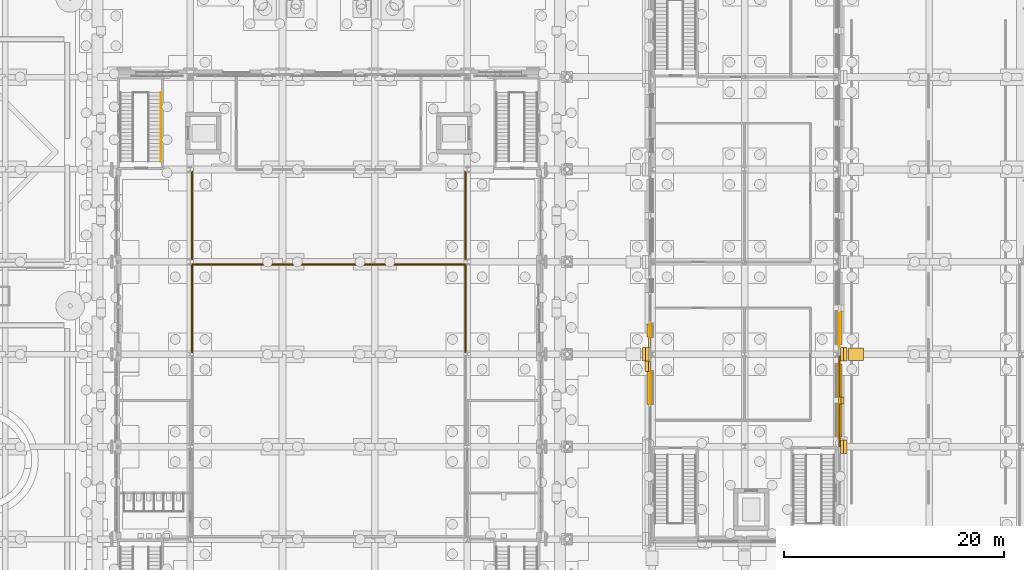
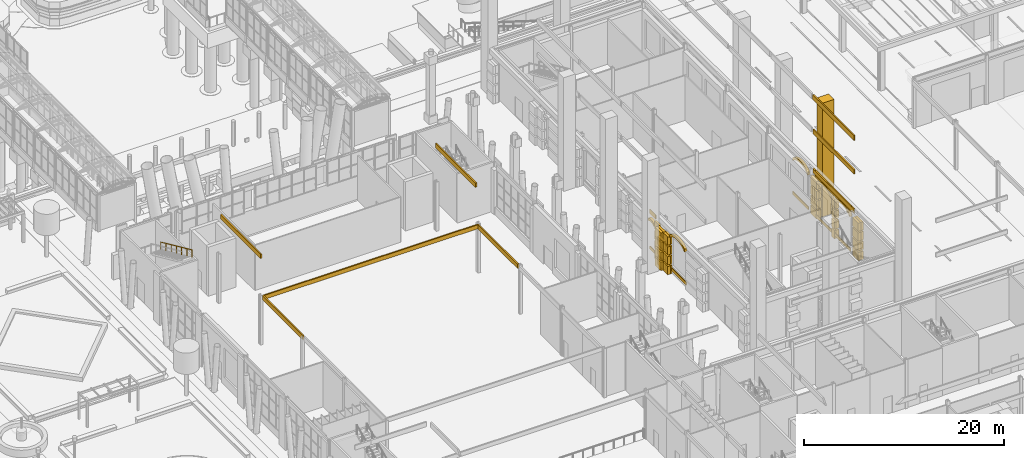
# One storey, part 151 of 222: 65 coverings, 1 railing.
"""IFC4 building model written with IfcOpenShell, lengths in metres."""

import ifcopenshell
import ifcopenshell.guid

model = None  # the IFC model being written
_history = None  # IfcOwnerHistory: only IFC2X3 demands one
_inside = {}  # id of a spatial element -> (the spatial element, [elements in it])
_under = {}  # id of a project, library or spatial element -> (it, [spatial elements below it])
_declared = {}  # id of a project -> (the project, [libraries it declares])
_typed = {}  # id of a type object -> (the type object, [elements of that type])
_made_of = {}  # id of a material, layer set ... -> (it, [elements and type objects made of it])


def new_model(schema):
    """Start an empty IFC model of exactly this schema.

    Asked for "IFC4X3", IfcOpenShell would pick the latest addendum, in which some entities
    have other attributes; the version numbers below select the first issue.
    IFC2X3 requires an IfcOwnerHistory on every rooted entity: one is made here for all.
    """
    global model, _history
    if schema == "IFC4X3":
        model = ifcopenshell.file(schema_version=(4, 3, 0, 0))
    else:
        model = ifcopenshell.file(schema=schema)
    _inside.clear()
    _under.clear()
    _declared.clear()
    _typed.clear()
    _made_of.clear()
    _history = None
    if model.schema == "IFC2X3":
        org = make("IfcOrganization", Name="unknown")
        user = make(
            "IfcPersonAndOrganization",
            ThePerson=make("IfcPerson", FamilyName="unknown"),
            TheOrganization=org,
        )
        app = make(
            "IfcApplication",
            ApplicationDeveloper=org,
            Version="unknown",
            ApplicationFullName="unknown",
            ApplicationIdentifier="unknown",
        )
        _history = make(
            "IfcOwnerHistory",
            OwningUser=user,
            OwningApplication=app,
            ChangeAction="ADDED",
            CreationDate=0,
        )
    return model


def make(cls, **values):
    """One entity of the class cls with the attributes given. An attribute that is None is left unset."""
    return model.create_entity(
        cls, **{name: value for name, value in values.items() if value is not None}
    )


def rooted(cls, **values):
    """An entity with a GlobalId (a new one), such as an element, a storey or a relation."""
    return make(cls, GlobalId=ifcopenshell.guid.new(), OwnerHistory=_history, **values)


def si_unit(unit_type, name, prefix=None):
    """IfcSIUnit, for example si_unit("LENGTHUNIT", "METRE", prefix="MILLI")."""
    return make("IfcSIUnit", UnitType=unit_type, Prefix=prefix, Name=name)


def assignment(units):
    """IfcUnitAssignment: the units of a project."""
    return None if units is None else make("IfcUnitAssignment", Units=units)


def point(xyz):
    """IfcCartesianPoint."""
    return None if xyz is None else make("IfcCartesianPoint", Coordinates=xyz)


def direction(xyz):
    """IfcDirection."""
    return None if xyz is None else make("IfcDirection", DirectionRatios=xyz)


def frame(location, z_axis=None, x_axis=None):
    """IfcAxis2Placement3D, a coordinate frame: its origin and axes. An axis left out is left unset."""
    return make(
        "IfcAxis2Placement3D",
        Location=point(location),
        Axis=direction(z_axis),
        RefDirection=direction(x_axis),
    )


def frame_2d(location, x_axis=None):
    """IfcAxis2Placement2D, a coordinate frame in the plane: its origin and x axis."""
    return make(
        "IfcAxis2Placement2D", Location=point(location), RefDirection=direction(x_axis)
    )


def origin():
    """The frame at (0, 0, 0) with its axes left unset."""
    return frame((0.0, 0.0, 0.0))


def origin_2d():
    """The frame at (0, 0) in the plane with its x axis left unset."""
    return frame_2d((0.0, 0.0))


def place(relative_to, where):
    """IfcLocalPlacement: puts the frame where relative to a parent placement (None: the world)."""
    return make(
        "IfcLocalPlacement", PlacementRelTo=relative_to, RelativePlacement=where
    )


def context(
    kind, dimensions, precision=None, world=None, true_north=None, identifier=None
):
    """IfcGeometricRepresentationContext, for example the 3D "Model" context."""
    return make(
        "IfcGeometricRepresentationContext",
        ContextIdentifier=identifier,
        ContextType=kind,
        CoordinateSpaceDimension=dimensions,
        Precision=precision,
        WorldCoordinateSystem=world,
        TrueNorth=true_north,
    )


def subcontext(parent, identifier, kind, view, scale=None):
    """IfcGeometricRepresentationSubContext, for example "Body" below "Model"."""
    return make(
        "IfcGeometricRepresentationSubContext",
        ContextIdentifier=identifier,
        ContextType=kind,
        ParentContext=parent,
        TargetScale=scale,
        TargetView=view,
    )


def project(units=None, contexts=None):
    """IfcProject with its units and contexts."""
    return rooted(
        "IfcProject",
        Name="project",
        RepresentationContexts=contexts,
        UnitsInContext=assignment(units),
    )


def spatial(cls, under=None, at=None, **own):
    """A site, building, storey or space (cls), placed at a placement, below another one or the project."""
    s = rooted(cls, ObjectPlacement=at, **own)
    if under is not None:
        _under.setdefault(under.id(), (under, []))[1].append(s)
    return s


def polyline(points):
    """IfcPolyline through the points."""
    return make("IfcPolyline", Points=[point(p) for p in points])


def profile(cls, at=None, kind="AREA", **sizes):
    """A parametric profile (cls). Its sizes go by their IFC names, for example OverallWidth=200.0."""
    return make(cls, ProfileType=kind, Position=at, **sizes)


def rectangle(**sizes):
    """IfcRectangleProfileDef."""
    return profile("IfcRectangleProfileDef", **sizes)


def circle(**sizes):
    """IfcCircleProfileDef."""
    return profile("IfcCircleProfileDef", **sizes)


def outline(outer, holes=None, kind="AREA"):
    """IfcArbitraryClosedProfileDef: a profile drawn as a closed curve; with holes, ...WithVoids."""
    if holes is None:
        return make("IfcArbitraryClosedProfileDef", ProfileType=kind, OuterCurve=outer)
    return make(
        "IfcArbitraryProfileDefWithVoids",
        ProfileType=kind,
        OuterCurve=outer,
        InnerCurves=holes,
    )


def extrude(swept, where, along, depth):
    """IfcExtrudedAreaSolid: the profile swept, set in the frame where, extruded along a direction by depth."""
    return make(
        "IfcExtrudedAreaSolid",
        SweptArea=swept,
        Position=where,
        ExtrudedDirection=direction(along),
        Depth=depth,
    )


def shape(context_of_items, identifier, shape_type, items):
    """IfcShapeRepresentation: the items that make up one representation, for example the "Body"."""
    return make(
        "IfcShapeRepresentation",
        ContextOfItems=context_of_items,
        RepresentationIdentifier=identifier,
        RepresentationType=shape_type,
        Items=items,
    )


def material(Name=None, Category=None):
    """IfcMaterial."""
    return make("IfcMaterial", Name=Name, Category=Category)


def layer(
    of_material, thickness, ventilated=None, Name=None, Category=None, Priority=None
):
    """IfcMaterialLayer: one layer of a wall or slab, of a material (None: an air gap)."""
    return make(
        "IfcMaterialLayer",
        Material=of_material,
        LayerThickness=thickness,
        IsVentilated=ventilated,
        Name=Name,
        Category=Category,
        Priority=Priority,
    )


def layer_set(layers, Name=None):
    """IfcMaterialLayerSet."""
    return make("IfcMaterialLayerSet", MaterialLayers=layers, LayerSetName=Name)


def made_of(thing, what):
    """Note that an element or type object is made of a material, layer set ...; save() writes the relation."""
    if what is not None:
        _made_of.setdefault(what.id(), (what, []))[1].append(thing)
    return thing


def type_object(cls, material=None, **own):
    """A type object (cls), such as IfcWallType, which elements share."""
    return made_of(rooted(cls, **own), material)


def element(
    cls,
    number,
    at=None,
    inside=None,
    cuts=None,
    type_object=None,
    material=None,
    context=None,
    identifier="Body",
    shape_type=None,
    held_by="IfcProductDefinitionShape",
    body=None,
    shapes=None,
    **own,
):
    """One element of the class cls, such as IfcWall. Its Tag is "e" and its number.

    at: its placement. inside: the storey or other place that contains it. cuts: it is an
    opening in that element (IfcRelVoidsElement). A single representation is given by context,
    identifier, shape_type and body (its items); several are given by shapes. held_by: the class
    of the entity that holds the representations. save() writes the other relations.
    """
    e = rooted(cls, Tag="e%d" % number, ObjectPlacement=at, **own)
    if body is not None:
        shapes = [shape(context, identifier, shape_type, body)]
    if shapes is not None:
        e.Representation = make(held_by, Representations=shapes)
    if inside is not None:
        _inside.setdefault(inside.id(), (inside, []))[1].append(e)
    if cuts is not None:
        rooted(
            "IfcRelVoidsElement", RelatingBuildingElement=cuts, RelatedOpeningElement=e
        )
    if type_object is not None:
        _typed.setdefault(type_object.id(), (type_object, []))[1].append(e)
    return made_of(e, material)


def aggregate(whole, parts):
    """IfcRelAggregates: a whole, such as a stair, and the parts it consists of."""
    return rooted("IfcRelAggregates", RelatingObject=whole, RelatedObjects=parts)


def save(model, path):
    """Write the relations noted so far, then the file.

    IfcRelAggregates (storeys below a building ...), IfcRelContainedInSpatialStructure (elements
    in a storey), IfcRelDefinesByType, IfcRelAssociatesMaterial and IfcRelDeclares: one each for
    every whole, place, type object, material and project.
    """
    for whole, parts in _under.values():
        aggregate(whole, parts)
    for where, things in _inside.values():
        rooted(
            "IfcRelContainedInSpatialStructure",
            RelatedElements=things,
            RelatingStructure=where,
        )
    for kind, things in _typed.values():
        rooted("IfcRelDefinesByType", RelatedObjects=things, RelatingType=kind)
    for what, things in _made_of.values():
        rooted("IfcRelAssociatesMaterial", RelatedObjects=things, RelatingMaterial=what)
    for by, libraries in _declared.values():
        rooted("IfcRelDeclares", RelatingContext=by, RelatedDefinitions=libraries)
    model.write(path)


model = new_model("IFC4")

# Units and contexts
model_context = context("Model", 3, precision=1e-05, world=origin(), true_north=direction((0.0, 1.0)))
body_context = subcontext(model_context, "Body", "Model", "MODEL_VIEW")
ifc_project = project(units=[si_unit("LENGTHUNIT", "METRE"), si_unit("AREAUNIT", "SQUARE_METRE"), si_unit("VOLUMEUNIT", "CUBIC_METRE"), si_unit("PLANEANGLEUNIT", "RADIAN"), si_unit("MASSUNIT", "GRAM", prefix="KILO")], contexts=[model_context])

# Site, building, storey
site_placement = place(None, origin())
site = spatial("IfcSite", under=ifc_project, at=site_placement, CompositionType="ELEMENT")
building_placement = place(site_placement, origin())
building = spatial("IfcBuilding", under=site, at=building_placement, Name="Sava Quay Ferry Terminal", CompositionType="ELEMENT")
storey_placement = place(building_placement, origin())
storey = spatial("IfcBuildingStorey", under=building, at=storey_placement, Name="L00", CompositionType="ELEMENT", Elevation=0.0)

# Coverings
ifc_material_1 = material(Name="Limestone Mutalj", Category="masonry")
ifc_layer_1 = layer(ifc_material_1, 0.300048828125)
ifc_layer_set_1 = layer_set([ifc_layer_1], Name="Limestone Mutalj")
covering_type_1 = type_object("IfcCoveringType", Name="Arch band 280", PredefinedType="MOLDING", material=ifc_layer_set_1)
covering_1_placement = place(storey_placement, frame((109.64990234375, 68.10009765625, 4.5), z_axis=(1.0, 0.0, 0.0), x_axis=(0.0, 0.781923759715, 0.623374072281)))
element("IfcCovering", 1, at=covering_1_placement, inside=storey, type_object=covering_type_1, Name="Arch band", PredefinedType="MOLDING", context=body_context, shape_type="SweptSolid", body=[
    extrude(outline(polyline([(0.0, 0.0), (0.3834193343979185, -2.7755575615628914e-17), (0.7215244784021893, -0.05723109819999722), (1.025082280021732, -0.15779635007562864), (1.2992672310674753, -0.2952051775433192), (1.5469709593161145, -0.4658304928504826), (1.7683069472834811, -0.6691383063507048), (1.963352611809143, -0.9058147986260157), (2.129025425761005, -1.1793348664933856), (2.2601508973281392, -1.4961890880363895), (2.3457712791462266, -1.8701222168437752), (2.575427400990079, -1.5820550895462773), (2.464391132924196, -1.2400021530905694), (2.3185031406023544, -0.9416651690212947), (2.144155443320406, -0.6790263644116832), (1.9443918597906626, -0.4482677521537497), (1.7213817715315254, -0.24705983156291944), (1.475352143574657, -0.07433462334636409), (1.2058851115329956, 0.06899208413870384), (0.9110021932435386, 0.1804385992720936), (0.5876595699939753, 0.25618693494582), (0.22965612184385228, 0.288067127297498), (0.0, 0.0)])), origin(), (0.0, 0.0, -1.0), 0.300048828125),
])
covering_2_placement = place(storey_placement, frame((109.64990234375, 71.699951171875, 4.5), z_axis=(1.0, 0.0, 0.0), x_axis=(0.0, 0.782171011383, 0.623063808091)))
element("IfcCovering", 2, at=covering_2_placement, inside=storey, type_object=covering_type_1, Name="Arch band", PredefinedType="MOLDING", context=body_context, shape_type="SweptSolid", body=[
    extrude(outline(polyline([(0.0, 0.0), (0.38361026394291897, 0.0), (0.7217380868167081, -0.05709695615317717), (1.025335762122964, -0.1575417686500708), (1.2993842465178647, -0.29468969183758004), (1.5471556480034832, -0.4652167214188082), (1.768763237235288, -0.6685888227670815), (1.9639027838382344, -0.9051879153215514), (2.1296840992494017, -1.178642233754159), (2.2607443073734594, -1.4952922933429613), (2.3465130341479634, -1.8691914242724625), (2.5760548521189226, -1.5810332074325149), (2.4648828890282157, -1.2390243496721793), (2.3190675077145073, -0.9408973828822342), (2.144615626614576, -0.6783277684654494), (1.9447605091984421, -0.4476484272178306), (1.7214796529038934, -0.24637688278489167), (1.475381518481019, -0.07374929628832916), (1.2060486048993058, 0.06931837820603115), (0.9111214952818136, 0.18064789471874781), (0.5877488455976752, 0.2562679436707819), (0.22954181797095916, 0.2881582168399477), (0.0, 0.0)])), origin(), (0.0, 0.0, -1.0), 0.300048828125),
])
covering_3_placement = place(storey_placement, frame((109.64990234375, 76.5, 4.5), z_axis=(1.0, 0.0, 0.0), x_axis=(0.0, 0.782171011383, 0.623063808091)))
element("IfcCovering", 3, at=covering_3_placement, inside=storey, type_object=covering_type_1, Name="Arch band", PredefinedType="MOLDING", context=body_context, shape_type="SweptSolid", body=[
    extrude(outline(polyline([(0.0, 0.0), (0.38361026394291897, 0.0), (0.7217380868167081, -0.05709695615317717), (1.0251448024033882, -0.15738965346254868), (1.2993842465178647, -0.29468969183758004), (1.5471556480034832, -0.4652167214188082), (1.768763237235288, -0.6685888227670815), (1.9639027838382344, -0.9051879153215514), (2.1294931395298256, -1.178490118566637), (2.2607443073734594, -1.4952922933429613), (2.3465130341479634, -1.8691914242724625), (2.5760548521189226, -1.5810332074325149), (2.4648828890282157, -1.2390243496721793), (2.318876547994931, -0.9407452676947119), (2.144615626614576, -0.6783277684654494), (1.9447605091984421, -0.4476484272178306), (1.7214796529038934, -0.24637688278489167), (1.475381518481019, -0.07374929628832916), (1.2058576451797298, 0.06947049339355327), (0.9111214952818136, 0.18064789471874781), (0.5877488455976752, 0.2562679436707819), (0.22954181797095916, 0.2881582168399477), (0.0, 0.0)])), origin(), (0.0, 0.0, -1.0), 0.300048828125),
])
covering_4_placement = place(storey_placement, frame((92.25, 71.03759765625, 4.5), z_axis=(1.0, 0.0, 0.0), x_axis=(0.0, 0.781923759715, 0.623374072281)))
element("IfcCovering", 4, at=covering_4_placement, inside=storey, type_object=covering_type_1, Name="Arch band", PredefinedType="MOLDING", context=body_context, shape_type="SweptSolid", body=[
    extrude(outline(polyline([(0.0, 0.0), (0.3834193343979185, -2.7755575615628914e-17), (0.7215244784021893, -0.05723109819999722), (1.025082280021732, -0.15779635007562864), (1.2992672310674753, -0.2952051775433192), (1.5469709593161145, -0.4658304928504826), (1.7683069472834811, -0.6691383063507048), (1.963352611809143, -0.9058147986260157), (2.129025425761005, -1.1793348664933856), (2.2601508973281392, -1.4961890880363895), (2.3457712791462266, -1.8701222168437752), (2.575427400990079, -1.5820550895462773), (2.464391132924196, -1.2400021530905694), (2.3185031406023544, -0.9416651690212947), (2.144155443320406, -0.6790263644116832), (1.9443918597906626, -0.4482677521537497), (1.7213817715315254, -0.24705983156291944), (1.475352143574657, -0.07433462334636409), (1.2058851115329956, 0.06899208413870384), (0.9110021932435386, 0.1804385992720936), (0.5876595699939753, 0.25618693494582), (0.22965612184385228, 0.288067127297498), (0.0, 0.0)])), origin(), (0.0, 0.0, -1.0), 0.300048828125),
])
covering_5_placement = place(storey_placement, frame((92.25, 77.168701171875, 3.89990234375), z_axis=(1.0, 0.0, 0.0), x_axis=(0.0, 0.766686318179, 0.642021876199)))
element("IfcCovering", 5, at=covering_5_placement, inside=storey, type_object=covering_type_1, Name="Arch band", PredefinedType="MOLDING", context=body_context, shape_type="SweptSolid", body=[
    extrude(outline(polyline([(0.0, 0.0), (0.15667057654730215, -1.3877787807814457e-17), (0.29293404656438327, -0.02398938309786766), (0.414337308134961, -0.06610472040016957), (0.5230139006591377, -0.1230376562322823), (0.6205921316676617, -0.19360424362325043), (0.7070111298509724, -0.2771166367750381), (0.7823317665186302, -0.3742626814856812), (0.844925734139887, -0.48622632472613514), (0.8926594933146406, -0.6163159221710233), (0.919986145959173, -0.7703949027137791), (1.1489885778747033, -0.49692597916416525), (1.0994043308893047, -0.3694264559410845), (1.0383473638344554, -0.2552470970326215), (0.9677594714851411, -0.1528295969140227), (0.8882067570202763, -0.06073739267965583), (0.8003770662378966, 0.021090386980039788), (0.7042095278284416, 0.09334158786309998), (0.5997650131014718, 0.15532836417148896), (0.4863556762589516, 0.20698984459564596), (0.3634154141219664, 0.2468894662299388), (0.22900243191553027, 0.27346892354961383), (0.0, 0.0)])), origin(), (0.0, 0.0, -1.0), 0.300048828125),
])
ifc_material_2 = material(Name="Limestone Mutalj", Category="masonry")
ifc_layer_2 = layer(ifc_material_2, 0.080078125)
ifc_layer_set_2 = layer_set([ifc_layer_2], Name="Limestone Mutalj")
covering_type_2 = type_object("IfcCoveringType", Name="Light stone cladding 80", PredefinedType="CLADDING", material=ifc_layer_set_2)
for number, where, z_axis, x_axis, name in (
    (6, (109.389892578125, 69.52490234375, 0.3798828125), (0.0, 0.0, 1.0), (1.0, 0.0, 0.0), "Light stone cladding"),
    (7, (109.389892578125, 73.27490234375, 0.3798828125), (0.0, 0.0, 1.0), (1.0, 0.0, 0.0), "Light stone cladding"),
    (8, (109.389892578125, 77.925048828125, 0.3798828125), (0.0, 0.0, 1.0), (1.0, 0.0, 0.0), "Light stone cladding"),
):
    element("IfcCovering", number, at=place(storey_placement, frame(where, z_axis=z_axis, x_axis=x_axis)), inside=storey, type_object=covering_type_2, Name=name, PredefinedType="CLADDING", context=body_context, shape_type="SweptSolid", body=[
        extrude(rectangle(XDim=0.080078125, YDim=3.14990234375, at=origin_2d()), origin(), (0.0, 0.0, 1.0), 0.3701171875),
    ])
covering_6_placement = place(storey_placement, frame((92.2099609375, 72.53759765625, 0.3798828125), z_axis=(0.0, 0.0, 1.0), x_axis=(1.0, 0.0, 0.0)))
element("IfcCovering", 9, at=covering_6_placement, inside=storey, type_object=covering_type_2, Name="Light stone cladding", PredefinedType="CLADDING", context=body_context, shape_type="SweptSolid", body=[
    extrude(rectangle(XDim=0.080078125, YDim=3.0, at=origin_2d()), origin(), (0.0, 0.0, 1.0), 0.3701171875),
])
covering_7_placement = place(storey_placement, frame((92.2099609375, 77.768798828125, 0.3798828125), z_axis=(0.0, 0.0, 1.0), x_axis=(1.0, 0.0, 0.0)))
element("IfcCovering", 10, at=covering_7_placement, inside=storey, type_object=covering_type_2, Name="Light stone cladding", PredefinedType="CLADDING", context=body_context, shape_type="SweptSolid", body=[
    extrude(rectangle(XDim=0.080078125, YDim=1.2001953125, at=origin_2d()), origin(), (0.0, 0.0, 1.0), 0.3701171875),
])
covering_8_placement = place(storey_placement, frame((92.2099609375, 77.768798828125, 4.72998046875), z_axis=(0.0, 0.0, 1.0), x_axis=(1.0, 0.0, 0.0)))
element("IfcCovering", 11, at=covering_8_placement, inside=storey, type_object=covering_type_2, Name="Light stone cladding", PredefinedType="CLADDING", context=body_context, shape_type="SweptSolid", body=[
    extrude(rectangle(XDim=0.080078125, YDim=1.2001953125, at=origin_2d()), origin(), (0.0, 0.0, 1.0), 0.52001953125),
])
ifc_material_3 = material(Name="Limestone Mutalj", Category="masonry")
ifc_layer_3 = layer(ifc_material_3, 0.14990234375)
ifc_layer_set_3 = layer_set([ifc_layer_3], Name="Limestone Mutalj")
covering_type_3 = type_object("IfcCoveringType", Name="Limestone string course 150", PredefinedType="CLADDING", material=ifc_layer_set_3)
covering_9_placement = place(storey_placement, frame((0.0, 0.0, 5.25)))
element("IfcCovering", 12, at=covering_9_placement, inside=storey, type_object=covering_type_3, Name="String course O-E", PredefinedType="CLADDING", context=body_context, shape_type="SweptSolid", body=[
    extrude(outline(polyline([(109.35009765625, 67.800048828125), (109.35009765625, 75.0), (109.5, 75.0), (109.5, 67.800048828125), (109.35009765625, 67.800048828125)])), origin(), (0.0, 0.0, 1.0), 0.75),
])
ifc_material_4 = material(Name="Limestone Mutalj", Category="masonry")
ifc_layer_4 = layer(ifc_material_4, 1.35009765625)
ifc_layer_set_4 = layer_set([ifc_layer_4], Name="Limestone Mutalj")
covering_type_4 = type_object("IfcCoveringType", Name="Portico pier 1100", PredefinedType="CLADDING", material=ifc_layer_set_4)
covering_10_placement = place(storey_placement, frame((110.925048828125, 75.60009765625, 0.0), z_axis=(0.0, 0.0, 1.0), x_axis=(1.0, 0.0, 0.0)))
element("IfcCovering", 13, at=covering_10_placement, inside=storey, type_object=covering_type_4, Name="Portico pier", PredefinedType="CLADDING", context=body_context, shape_type="SweptSolid", body=[
    extrude(rectangle(XDim=1.35009765625, YDim=1.10009765625, at=origin_2d()), origin(), (0.0, 0.0, 1.0), 13.89990234375),
])
ifc_material_5 = material(Name="Limestone Mutalj", Category="masonry")
ifc_layer_5 = layer(ifc_material_5, 0.300048828125)
ifc_layer_set_5 = layer_set([ifc_layer_5], Name="Limestone Mutalj")
covering_type_5 = type_object("IfcCoveringType", Name="Rusticated course deepening 300", PredefinedType="CLADDING", material=ifc_layer_set_5)
for number, where, z_axis, x_axis, name in (
    (14, (109.949951171875, 67.199951171875, 0.0), (0.0, 0.0, 1.0), (1.0, 0.0, 0.0), "Rusticated course deepening"),
    (15, (109.949951171875, 67.199951171875, 1.199951171875), (0.0, 0.0, 1.0), (1.0, 0.0, 0.0), "Rusticated course deepening"),
    (16, (109.949951171875, 67.199951171875, 2.39990234375), (0.0, 0.0, 1.0), (1.0, 0.0, 0.0), "Rusticated course deepening"),
    (17, (109.949951171875, 67.199951171875, 3.60009765625), (0.0, 0.0, 1.0), (1.0, 0.0, 0.0), "Rusticated course deepening"),
    (18, (109.949951171875, 75.60009765625, 0.0), (0.0, 0.0, 1.0), (1.0, 0.0, 0.0), "Rusticated course deepening"),
    (19, (109.949951171875, 75.60009765625, 1.199951171875), (0.0, 0.0, 1.0), (1.0, 0.0, 0.0), "Rusticated course deepening"),
    (20, (109.949951171875, 75.60009765625, 2.39990234375), (0.0, 0.0, 1.0), (1.0, 0.0, 0.0), "Rusticated course deepening"),
    (21, (109.949951171875, 75.60009765625, 3.60009765625), (0.0, 0.0, 1.0), (1.0, 0.0, 0.0), "Rusticated course deepening"),
    (22, (91.64990234375, 75.60009765625, 0.0), (0.0, 0.0, 1.0), (1.0, 0.0, 0.0), "Rusticated course deepening"),
    (23, (91.64990234375, 75.60009765625, 1.199951171875), (0.0, 0.0, 1.0), (1.0, 0.0, 0.0), "Rusticated course deepening"),
    (24, (91.64990234375, 75.60009765625, 2.39990234375), (0.0, 0.0, 1.0), (1.0, 0.0, 0.0), "Rusticated course deepening"),
    (25, (91.64990234375, 75.60009765625, 3.60009765625), (0.0, 0.0, 1.0), (1.0, 0.0, 0.0), "Rusticated course deepening"),
):
    element("IfcCovering", number, at=place(storey_placement, frame(where, z_axis=z_axis, x_axis=x_axis)), inside=storey, type_object=covering_type_5, Name=name, PredefinedType="CLADDING", context=body_context, shape_type="SweptSolid", body=[
        extrude(rectangle(XDim=0.300048828125, YDim=1.199951171875, at=origin_2d()), origin(), (0.0, 0.0, 1.0), 1.0),
    ])
for number, where, z_axis, x_axis, name in (
    (26, (109.699951171875, 71.39990234375, 0.0), (0.0, 0.0, 1.0), (1.0, 0.0, 0.0), "Rusticated course deepening"),
    (27, (109.699951171875, 71.39990234375, 1.199951171875), (0.0, 0.0, 1.0), (1.0, 0.0, 0.0), "Rusticated course deepening"),
    (28, (109.699951171875, 71.39990234375, 2.39990234375), (0.0, 0.0, 1.0), (1.0, 0.0, 0.0), "Rusticated course deepening"),
    (29, (109.699951171875, 71.39990234375, 3.60009765625), (0.0, 0.0, 1.0), (1.0, 0.0, 0.0), "Rusticated course deepening"),
):
    element("IfcCovering", number, at=place(storey_placement, frame(where, z_axis=z_axis, x_axis=x_axis)), inside=storey, type_object=covering_type_5, Name=name, PredefinedType="CLADDING", context=body_context, shape_type="SweptSolid", body=[
        extrude(rectangle(XDim=0.300048828125, YDim=0.60009765625, at=origin_2d()), origin(), (0.0, 0.0, 1.0), 1.0),
    ])
for number, where, z_axis, x_axis, name in (
    (30, (91.89990234375, 74.518798828125, 0.0), (0.0, 0.0, 1.0), (1.0, 0.0, 0.0), "Rusticated course deepening"),
    (31, (91.89990234375, 74.518798828125, 1.199951171875), (0.0, 0.0, 1.0), (1.0, 0.0, 0.0), "Rusticated course deepening"),
    (32, (91.89990234375, 74.518798828125, 2.39990234375), (0.0, 0.0, 1.0), (1.0, 0.0, 0.0), "Rusticated course deepening"),
    (33, (91.89990234375, 74.518798828125, 3.60009765625), (0.0, 0.0, 1.0), (1.0, 0.0, 0.0), "Rusticated course deepening"),
):
    element("IfcCovering", number, at=place(storey_placement, frame(where, z_axis=z_axis, x_axis=x_axis)), inside=storey, type_object=covering_type_5, Name=name, PredefinedType="CLADDING", context=body_context, shape_type="SweptSolid", body=[
        extrude(rectangle(XDim=0.300048828125, YDim=0.96240234375, at=origin_2d()), origin(), (0.0, 0.0, 1.0), 1.0),
    ])
ifc_material_6 = material(Name="Limestone Mutalj", Category="masonry")
ifc_layer_6 = layer(ifc_material_6, 0.300048828125)
ifc_layer_set_6 = layer_set([ifc_layer_6], Name="Limestone Mutalj")
covering_type_6 = type_object("IfcCoveringType", Name="Rusticated pier course 300", PredefinedType="CLADDING", material=ifc_layer_set_6)
for number, where, z_axis, x_axis, name in (
    (34, (109.64990234375, 67.199951171875, 0.0), (0.0, 0.0, 1.0), (1.0, 0.0, 0.0), "Rusticated pier course"),
    (35, (109.64990234375, 67.199951171875, 1.199951171875), (0.0, 0.0, 1.0), (1.0, 0.0, 0.0), "Rusticated pier course"),
    (36, (109.64990234375, 67.199951171875, 2.39990234375), (0.0, 0.0, 1.0), (1.0, 0.0, 0.0), "Rusticated pier course"),
    (37, (109.64990234375, 67.199951171875, 3.60009765625), (0.0, 0.0, 1.0), (1.0, 0.0, 0.0), "Rusticated pier course"),
    (38, (109.64990234375, 75.60009765625, 0.0), (0.0, 0.0, 1.0), (1.0, 0.0, 0.0), "Rusticated pier course"),
    (39, (109.64990234375, 75.60009765625, 1.199951171875), (0.0, 0.0, 1.0), (1.0, 0.0, 0.0), "Rusticated pier course"),
    (40, (109.64990234375, 75.60009765625, 2.39990234375), (0.0, 0.0, 1.0), (1.0, 0.0, 0.0), "Rusticated pier course"),
    (41, (109.64990234375, 75.60009765625, 3.60009765625), (0.0, 0.0, 1.0), (1.0, 0.0, 0.0), "Rusticated pier course"),
    (42, (91.949951171875, 75.60009765625, 0.0), (0.0, 0.0, 1.0), (1.0, 0.0, 0.0), "Rusticated pier course"),
    (43, (91.949951171875, 75.60009765625, 1.199951171875), (0.0, 0.0, 1.0), (1.0, 0.0, 0.0), "Rusticated pier course"),
    (44, (91.949951171875, 75.60009765625, 2.39990234375), (0.0, 0.0, 1.0), (1.0, 0.0, 0.0), "Rusticated pier course"),
    (45, (91.949951171875, 75.60009765625, 3.60009765625), (0.0, 0.0, 1.0), (1.0, 0.0, 0.0), "Rusticated pier course"),
):
    element("IfcCovering", number, at=place(storey_placement, frame(where, z_axis=z_axis, x_axis=x_axis)), inside=storey, type_object=covering_type_6, Name=name, PredefinedType="CLADDING", context=body_context, shape_type="SweptSolid", body=[
        extrude(rectangle(XDim=0.300048828125, YDim=1.199951171875, at=origin_2d()), origin(), (0.0, 0.0, 1.0), 1.0),
    ])
ifc_material_7 = material(Name="Limestone Mutalj", Category="masonry")
ifc_layer_7 = layer(ifc_material_7, 0.199951171875)
ifc_layer_set_7 = layer_set([ifc_layer_7], Name="Limestone Mutalj")
covering_type_7 = type_object("IfcCoveringType", Name="Rusticated wall course 200", PredefinedType="CLADDING", material=ifc_layer_set_7)
for number, where, z_axis, x_axis, name in (
    (46, (109.449951171875, 71.39990234375, 0.0), (0.0, 0.0, 1.0), (1.0, 0.0, 0.0), "Rusticated wall course"),
    (47, (109.449951171875, 71.39990234375, 1.199951171875), (0.0, 0.0, 1.0), (1.0, 0.0, 0.0), "Rusticated wall course"),
    (48, (109.449951171875, 71.39990234375, 2.39990234375), (0.0, 0.0, 1.0), (1.0, 0.0, 0.0), "Rusticated wall course"),
    (49, (109.449951171875, 71.39990234375, 3.60009765625), (0.0, 0.0, 1.0), (1.0, 0.0, 0.0), "Rusticated wall course"),
):
    element("IfcCovering", number, at=place(storey_placement, frame(where, z_axis=z_axis, x_axis=x_axis)), inside=storey, type_object=covering_type_7, Name=name, PredefinedType="CLADDING", context=body_context, shape_type="SweptSolid", body=[
        extrude(rectangle(XDim=0.199951171875, YDim=0.60009765625, at=origin_2d()), origin(), (0.0, 0.0, 1.0), 1.0),
    ])
for number, where, z_axis, x_axis, name in (
    (50, (92.14990234375, 74.518798828125, 0.0), (0.0, 0.0, 1.0), (1.0, 0.0, 0.0), "Rusticated wall course"),
    (51, (92.14990234375, 74.518798828125, 1.199951171875), (0.0, 0.0, 1.0), (1.0, 0.0, 0.0), "Rusticated wall course"),
    (52, (92.14990234375, 74.518798828125, 2.39990234375), (0.0, 0.0, 1.0), (1.0, 0.0, 0.0), "Rusticated wall course"),
    (53, (92.14990234375, 74.518798828125, 3.60009765625), (0.0, 0.0, 1.0), (1.0, 0.0, 0.0), "Rusticated wall course"),
):
    element("IfcCovering", number, at=place(storey_placement, frame(where, z_axis=z_axis, x_axis=x_axis)), inside=storey, type_object=covering_type_7, Name=name, PredefinedType="CLADDING", context=body_context, shape_type="SweptSolid", body=[
        extrude(rectangle(XDim=0.199951171875, YDim=0.96240234375, at=origin_2d()), origin(), (0.0, 0.0, 1.0), 1.0),
    ])
for number, where, z_axis, x_axis, name in (
    (54, (92.14990234375, 76.684326171875, 0.0), (0.0, 0.0, 1.0), (1.0, 0.0, 0.0), "Rusticated wall course"),
    (55, (92.14990234375, 76.684326171875, 1.199951171875), (0.0, 0.0, 1.0), (1.0, 0.0, 0.0), "Rusticated wall course"),
    (56, (92.14990234375, 76.684326171875, 2.39990234375), (0.0, 0.0, 1.0), (1.0, 0.0, 0.0), "Rusticated wall course"),
    (57, (92.14990234375, 76.684326171875, 3.60009765625), (0.0, 0.0, 1.0), (1.0, 0.0, 0.0), "Rusticated wall course"),
):
    element("IfcCovering", number, at=place(storey_placement, frame(where, z_axis=z_axis, x_axis=x_axis)), inside=storey, type_object=covering_type_7, Name=name, PredefinedType="CLADDING", context=body_context, shape_type="SweptSolid", body=[
        extrude(rectangle(XDim=0.199951171875, YDim=0.96875, at=origin_2d()), origin(), (0.0, 0.0, 1.0), 1.0),
    ])
ifc_material_8 = material(Name="Limestone Mutalj", Category="masonry")
ifc_layer_8 = layer(ifc_material_8, 0.14990234375)
ifc_layer_set_8 = layer_set([ifc_layer_8], Name="Limestone Mutalj")
covering_type_8 = type_object("IfcCoveringType", Name="Slab edge fascia 150", PredefinedType="CLADDING", material=ifc_layer_set_8)
covering_11_placement = place(storey_placement, frame((0.0, 0.0, 5.469970703125)))
element("IfcCovering", 58, at=covering_11_placement, inside=storey, type_object=covering_type_8, Name="Slab edge fascia", PredefinedType="CLADDING", context=body_context, shape_type="SweptSolid", body=[
    extrude(outline(polyline([(50.488037109375, 83.800048828125), (50.488037109375, 75.7451171875), (50.637939453125, 75.7451171875), (50.637939453125, 83.800048828125), (50.488037109375, 83.800048828125)])), origin(), (0.0, 0.0, 1.0), 0.530029296875),
])
covering_12_placement = place(storey_placement, frame((0.0, 0.0, 5.469970703125)))
element("IfcCovering", 59, at=covering_12_placement, inside=storey, type_object=covering_type_8, Name="Slab edge fascia", PredefinedType="CLADDING", context=body_context, shape_type="SweptSolid", body=[
    extrude(outline(polyline([(75.362060546875, 75.7451171875), (75.511962890625, 75.7451171875), (75.511962890625, 83.800048828125), (75.362060546875, 83.800048828125), (75.362060546875, 75.7451171875)])), origin(), (0.0, 0.0, 1.0), 0.530029296875),
])
covering_13_placement = place(storey_placement, frame((0.0, 0.0, 5.47998046875)))
element("IfcCovering", 60, at=covering_13_placement, inside=storey, type_object=covering_type_8, Name="Slab edge fascia", PredefinedType="CLADDING", context=body_context, shape_type="SweptSolid", body=[
    extrude(outline(polyline([(109.347900390625, 75.43994140625), (109.347900390625, 67.199951171875), (109.498046875, 67.199951171875), (109.498046875, 75.43994140625), (109.347900390625, 75.43994140625)])), origin(), (0.0, 0.0, 1.0), 0.52001953125),
])
covering_14_placement = place(storey_placement, frame((0.0, 0.0, 5.510009765625)))
element("IfcCovering", 61, at=covering_14_placement, inside=storey, type_object=covering_type_8, Name="Slab edge fascia", PredefinedType="CLADDING", context=body_context, shape_type="SweptSolid", body=[
    extrude(outline(polyline([(75.449951171875, 83.85205078125), (50.550048828125, 83.85205078125), (50.550048828125, 83.701904296875), (75.449951171875, 83.701904296875), (75.449951171875, 83.85205078125)])), origin(), (0.0, 0.0, 1.0), 0.489990234375),
])
covering_15_placement = place(storey_placement, frame((0.0, 0.0, 10.27001953125)))
element("IfcCovering", 62, at=covering_15_placement, inside=storey, type_object=covering_type_8, Name="Slab edge fascia", PredefinedType="CLADDING", context=body_context, shape_type="SweptSolid", body=[
    extrude(outline(polyline([(50.488037109375, 92.219970703125), (50.488037109375, 84.179931640625), (50.637939453125, 84.179931640625), (50.637939453125, 92.219970703125), (50.488037109375, 92.219970703125)])), origin(), (0.0, 0.0, 1.0), 0.530029296875),
])
covering_16_placement = place(storey_placement, frame((0.0, 0.0, 10.27001953125)))
element("IfcCovering", 63, at=covering_16_placement, inside=storey, type_object=covering_type_8, Name="Slab edge fascia", PredefinedType="CLADDING", context=body_context, shape_type="SweptSolid", body=[
    extrude(outline(polyline([(75.362060546875, 84.179931640625), (75.511962890625, 84.179931640625), (75.511962890625, 92.219970703125), (75.362060546875, 92.219970703125), (75.362060546875, 84.179931640625)])), origin(), (0.0, 0.0, 1.0), 0.530029296875),
])
covering_17_placement = place(storey_placement, frame((0.0, 0.0, 10.280029296875)))
element("IfcCovering", 64, at=covering_17_placement, inside=storey, type_object=covering_type_8, Name="Slab edge fascia", PredefinedType="CLADDING", context=body_context, shape_type="SweptSolid", body=[
    extrude(outline(polyline([(109.347900390625, 75.449951171875), (109.347900390625, 67.199951171875), (109.498046875, 67.199951171875), (109.498046875, 75.449951171875), (109.347900390625, 75.449951171875)])), origin(), (0.0, 0.0, 1.0), 0.52001953125),
])
covering_18_placement = place(storey_placement, frame((0.0, 0.0, 14.393310546875)))
element("IfcCovering", 65, at=covering_18_placement, inside=storey, type_object=covering_type_8, Name="Slab edge fascia", PredefinedType="CLADDING", context=body_context, shape_type="SweptSolid", body=[
    extrude(outline(polyline([(109.347900390625, 75.469970703125), (109.347900390625, 67.199951171875), (109.498046875, 67.199951171875), (109.498046875, 75.469970703125), (109.347900390625, 75.469970703125)])), origin(), (0.0, 0.0, 1.0), 0.606689453125),
])

# Railing
ifc_material_9 = material(Name="Steel S355", Category="steel")
railing_type = type_object("IfcRailingType", Name="Stair handrail 900", PredefinedType="HANDRAIL", material=ifc_material_9)
railing_placement = place(storey_placement, frame((47.739990234375, 99.39990234375, 3.14990234375)))
element("IfcRailing", 66, at=railing_placement, inside=storey, type_object=railing_type, Name="Handrail ST-D5 L00", PredefinedType="HANDRAIL", context=body_context, shape_type="SweptSolid", body=[
    extrude(circle(Radius=0.02392578125, at=origin_2d()), frame((0.0, 0.0, 0.8759765625), z_axis=(0.0, -0.910361621584, 0.413813627068), x_axis=(1.0, 0.0, 0.0)), (0.0, 0.0, 1.0), 6.887451171875),
    extrude(circle(Radius=0.02099609375, at=origin_2d()), origin(), (0.0, 0.0, 1.0), 0.851806640625),
    extrude(circle(Radius=0.02099609375, at=origin_2d()), frame((0.0, -1.044921875, 0.47509765625)), (0.0, 0.0, 1.0), 0.851806640625),
    extrude(circle(Radius=0.02099609375, at=origin_2d()), frame((0.0, -2.090087890625, 0.949951171875)), (0.0, 0.0, 1.0), 0.851806640625),
    extrude(circle(Radius=0.02099609375, at=origin_2d()), frame((0.0, -3.135009765625, 1.425048828125)), (0.0, 0.0, 1.0), 0.851806640625),
    extrude(circle(Radius=0.02099609375, at=origin_2d()), frame((0.0, -4.179931640625, 1.900146484375)), (0.0, 0.0, 1.0), 0.851806640625),
    extrude(circle(Radius=0.02099609375, at=origin_2d()), frame((0.0, -5.22509765625, 2.375)), (0.0, 0.0, 1.0), 0.851806640625),
    extrude(circle(Radius=0.02099609375, at=origin_2d()), frame((0.0, -6.27001953125, 2.85009765625)), (0.0, 0.0, 1.0), 0.851806640625),
])

save(model, "model.ifc")
